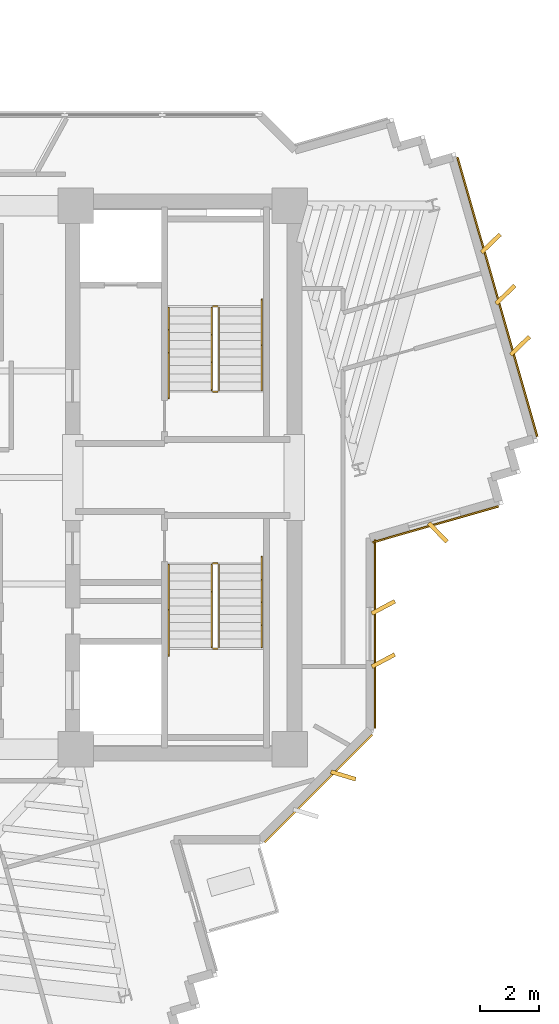
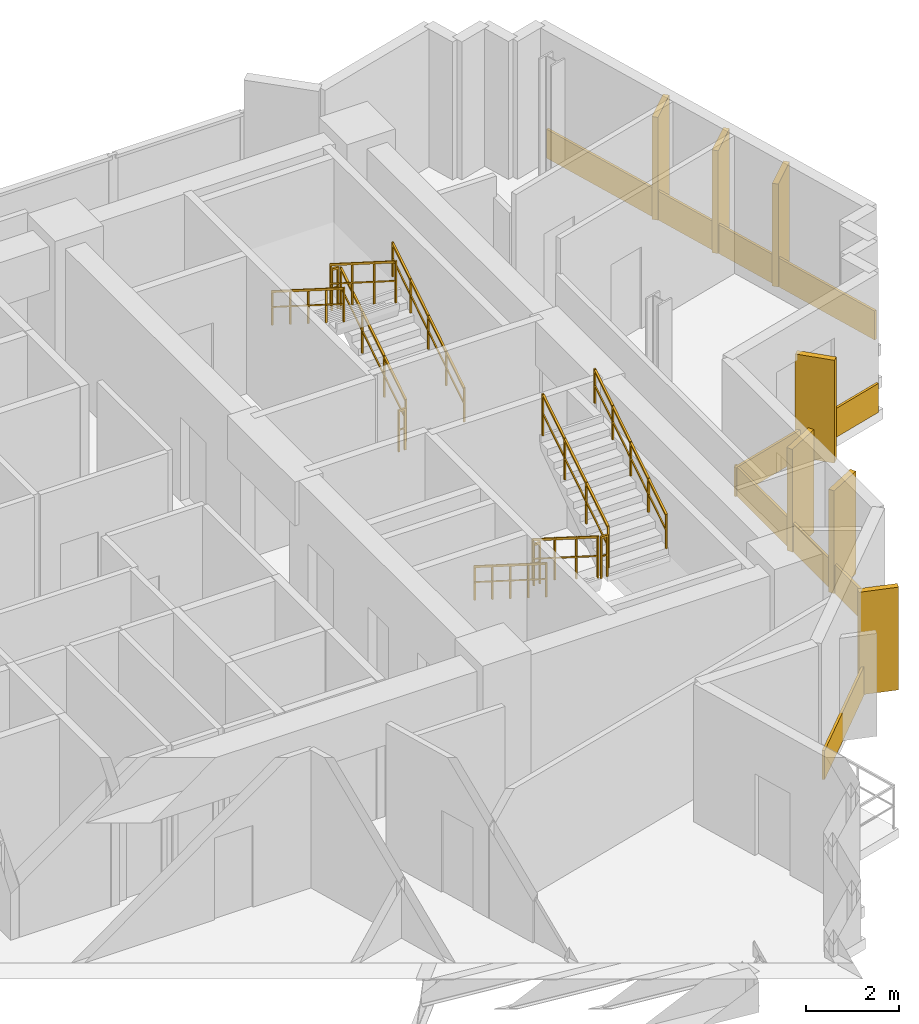
# One storey, part 13 of 14: 12 railings, 11 coverings.
"""IFC4 building model written with IfcOpenShell, lengths in metres."""

from ifc_helpers import new_model, si_unit, direction, frame, origin, origin_2d, place, context, subcontext, project, spatial, rectangle, extrude, source, transform, mapped, material, layer, layer_set, type_object, element, save


model = new_model("IFC4")

# Units and contexts
model_context = context("Model", 3, precision=1e-05, world=origin(), true_north=direction((0.0, 1.0)))
body_context = subcontext(model_context, "Body", "Model", "MODEL_VIEW")
ifc_project = project(units=[si_unit("LENGTHUNIT", "METRE"), si_unit("AREAUNIT", "SQUARE_METRE"), si_unit("VOLUMEUNIT", "CUBIC_METRE"), si_unit("PLANEANGLEUNIT", "RADIAN"), si_unit("MASSUNIT", "GRAM", prefix="KILO")], contexts=[model_context])

# Site, building, storey
site_placement = place(None, origin())
site = spatial("IfcSite", under=ifc_project, at=site_placement, CompositionType="ELEMENT")
building_placement = place(site_placement, origin())
building = spatial("IfcBuilding", under=site, at=building_placement, Name="Zahravan Cultural Tower", CompositionType="ELEMENT")
storey_placement = place(building_placement, frame((0.0, 0.0, 205.800048828125)))
storey = spatial("IfcBuildingStorey", under=building, at=storey_placement, Name="L48", CompositionType="ELEMENT", Elevation=205.800048828125)

# Railings
ifc_material_1 = material(Name="Steel ASTM A572 Grade 50", Category="steel")
railing_type_1 = type_object("IfcRailingType", Name="RL-STAIR-GRD1150", PredefinedType="BALUSTRADE", material=ifc_material_1)
railing_1_placement = place(storey_placement, frame((47.949951171875, 29.949951171875, 0.17724609375)))
element("IfcRailing", 1, at=railing_1_placement, inside=storey, type_object=railing_type_1, Name="L48 ST-E1 stair guard 1", PredefinedType="BALUSTRADE", context=body_context, shape_type="SweptSolid", body=[
    extrude(rectangle(XDim=0.05, YDim=0.05, at=origin_2d()), frame((0.0, 0.0, 1.0751953125), z_axis=(0.0, 0.844908973607, 0.534910110503), x_axis=(-1.0, 0.0, 0.0)), (0.0, 0.0, 1.0), 3.31396484375),
    extrude(rectangle(XDim=0.032, YDim=0.032, at=origin_2d()), frame((0.0, 0.0, 0.572021484375), z_axis=(0.0, 0.844908973607, 0.534910110503), x_axis=(-1.0, 0.0, 0.0)), (0.0, 0.0, 1.0), 3.31396484375),
    extrude(rectangle(XDim=0.04, YDim=0.04, at=origin_2d()), origin(), (0.0, 0.0, 1.0), 1.10009765625),
    extrude(rectangle(XDim=0.04, YDim=0.04, at=origin_2d()), frame((0.0, 0.933349609375, 0.5908203125)), (0.0, 0.0, 1.0), 1.10009765625),
    extrude(rectangle(XDim=0.04, YDim=0.04, at=origin_2d()), frame((0.0, 1.86669921875, 1.181884765625)), (0.0, 0.0, 1.0), 1.10009765625),
    extrude(rectangle(XDim=0.04, YDim=0.04, at=origin_2d()), frame((0.0, 2.800048828125, 1.772705078125)), (0.0, 0.0, 1.0), 1.10009765625),
])
railing_2_placement = place(storey_placement, frame((47.89990234375, 32.800048828125, 1.949951171875)))
element("IfcRailing", 2, at=railing_2_placement, inside=storey, type_object=railing_type_1, Name="L48 ST-E1 stair guard 2", PredefinedType="BALUSTRADE", context=body_context, shape_type="SweptSolid", body=[
    extrude(rectangle(XDim=0.05, YDim=0.05, at=origin_2d()), frame((0.0, 0.0, 1.0751953125), z_axis=(-1.0, 0.0, 0.0), x_axis=(0.0, -1.0, 0.0)), (0.0, 0.0, 1.0), 0.14990234375),
    extrude(rectangle(XDim=0.032, YDim=0.032, at=origin_2d()), frame((0.0, 0.0, 0.572021484375), z_axis=(-1.0, 0.0, 0.0), x_axis=(0.0, -1.0, 0.0)), (0.0, 0.0, 1.0), 0.14990234375),
    extrude(rectangle(XDim=0.04, YDim=0.04, at=origin_2d()), origin(), (0.0, 0.0, 1.0), 1.10009765625),
    extrude(rectangle(XDim=0.04, YDim=0.04, at=origin_2d()), frame((-0.14990234375, 0.0, 0.0)), (0.0, 0.0, 1.0), 1.10009765625),
])
railing_3_placement = place(storey_placement, frame((47.699951171875, 32.75, 2.127197265625)))
element("IfcRailing", 3, at=railing_3_placement, inside=storey, type_object=railing_type_1, Name="L48 ST-E1 stair guard 3", PredefinedType="BALUSTRADE", context=body_context, shape_type="SweptSolid", body=[
    extrude(rectangle(XDim=0.05, YDim=0.05, at=origin_2d()), frame((0.0, 0.0, 1.0751953125), z_axis=(0.0, -0.844908973607, 0.534910110503), x_axis=(1.0, 0.0, 0.0)), (0.0, 0.0, 1.0), 3.31396484375),
    extrude(rectangle(XDim=0.032, YDim=0.032, at=origin_2d()), frame((0.0, 0.0, 0.572021484375), z_axis=(0.0, -0.844908973607, 0.534910110503), x_axis=(1.0, 0.0, 0.0)), (0.0, 0.0, 1.0), 3.31396484375),
    extrude(rectangle(XDim=0.04, YDim=0.04, at=origin_2d()), origin(), (0.0, 0.0, 1.0), 1.10009765625),
    extrude(rectangle(XDim=0.04, YDim=0.04, at=origin_2d()), frame((0.0, -0.933349609375, 0.5908203125)), (0.0, 0.0, 1.0), 1.10009765625),
    extrude(rectangle(XDim=0.04, YDim=0.04, at=origin_2d()), frame((0.0, -1.86669921875, 1.181884765625)), (0.0, 0.0, 1.0), 1.10009765625),
    extrude(rectangle(XDim=0.04, YDim=0.04, at=origin_2d()), frame((0.0, -2.800048828125, 1.772705078125)), (0.0, 0.0, 1.0), 1.10009765625),
])
railing_4_placement = place(storey_placement, frame((47.89990234375, 29.89990234375, 0.0)))
element("IfcRailing", 4, at=railing_4_placement, inside=storey, type_object=railing_type_1, Name="L48 ST-E1 stair guard 4", PredefinedType="BALUSTRADE", context=body_context, shape_type="SweptSolid", body=[
    extrude(rectangle(XDim=0.05, YDim=0.05, at=origin_2d()), frame((0.0, 0.0, 1.0751953125), z_axis=(-1.0, 0.0, 0.0), x_axis=(0.0, -1.0, 0.0)), (0.0, 0.0, 1.0), 0.14990234375),
    extrude(rectangle(XDim=0.032, YDim=0.032, at=origin_2d()), frame((0.0, 0.0, 0.572021484375), z_axis=(-1.0, 0.0, 0.0), x_axis=(0.0, -1.0, 0.0)), (0.0, 0.0, 1.0), 0.14990234375),
    extrude(rectangle(XDim=0.04, YDim=0.04, at=origin_2d()), origin(), (0.0, 0.0, 1.0), 1.10009765625),
    extrude(rectangle(XDim=0.04, YDim=0.04, at=origin_2d()), frame((-0.14990234375, 0.0, 0.0)), (0.0, 0.0, 1.0), 1.10009765625),
])
railing_5_placement = place(storey_placement, frame((47.699951171875, 24.050048828125, 0.17724609375)))
element("IfcRailing", 5, at=railing_5_placement, inside=storey, type_object=railing_type_1, Name="L48 ST-E2 stair guard 1", PredefinedType="BALUSTRADE", context=body_context, shape_type="SweptSolid", body=[
    extrude(rectangle(XDim=0.05, YDim=0.05, at=origin_2d()), frame((0.0, 0.0, 1.0751953125), z_axis=(0.0, -0.844908973607, 0.534910110503), x_axis=(1.0, 0.0, 0.0)), (0.0, 0.0, 1.0), 3.31396484375),
    extrude(rectangle(XDim=0.032, YDim=0.032, at=origin_2d()), frame((0.0, 0.0, 0.572021484375), z_axis=(0.0, -0.844908973607, 0.534910110503), x_axis=(1.0, 0.0, 0.0)), (0.0, 0.0, 1.0), 3.31396484375),
    extrude(rectangle(XDim=0.04, YDim=0.04, at=origin_2d()), origin(), (0.0, 0.0, 1.0), 1.10009765625),
    extrude(rectangle(XDim=0.04, YDim=0.04, at=origin_2d()), frame((0.0, -0.933349609375, 0.5908203125)), (0.0, 0.0, 1.0), 1.10009765625),
    extrude(rectangle(XDim=0.04, YDim=0.04, at=origin_2d()), frame((0.0, -1.86669921875, 1.181884765625)), (0.0, 0.0, 1.0), 1.10009765625),
    extrude(rectangle(XDim=0.04, YDim=0.04, at=origin_2d()), frame((0.0, -2.800048828125, 1.772705078125)), (0.0, 0.0, 1.0), 1.10009765625),
])
railing_6_placement = place(storey_placement, frame((47.75, 21.199951171875, 1.949951171875)))
element("IfcRailing", 6, at=railing_6_placement, inside=storey, type_object=railing_type_1, Name="L48 ST-E2 stair guard 2", PredefinedType="BALUSTRADE", context=body_context, shape_type="SweptSolid", body=[
    extrude(rectangle(XDim=0.05, YDim=0.05, at=origin_2d()), frame((0.0, 0.0, 1.0751953125), z_axis=(1.0, 0.0, 0.0), x_axis=(0.0, 1.0, 0.0)), (0.0, 0.0, 1.0), 0.14990234375),
    extrude(rectangle(XDim=0.032, YDim=0.032, at=origin_2d()), frame((0.0, 0.0, 0.572021484375), z_axis=(1.0, 0.0, 0.0), x_axis=(0.0, 1.0, 0.0)), (0.0, 0.0, 1.0), 0.14990234375),
    extrude(rectangle(XDim=0.04, YDim=0.04, at=origin_2d()), origin(), (0.0, 0.0, 1.0), 1.10009765625),
    extrude(rectangle(XDim=0.04, YDim=0.04, at=origin_2d()), frame((0.14990234375, 0.0, 0.0)), (0.0, 0.0, 1.0), 1.10009765625),
])
railing_7_placement = place(storey_placement, frame((47.949951171875, 21.25, 2.127197265625)))
element("IfcRailing", 7, at=railing_7_placement, inside=storey, type_object=railing_type_1, Name="L48 ST-E2 stair guard 3", PredefinedType="BALUSTRADE", context=body_context, shape_type="SweptSolid", body=[
    extrude(rectangle(XDim=0.05, YDim=0.05, at=origin_2d()), frame((0.0, 0.0, 1.0751953125), z_axis=(0.0, 0.844908973607, 0.534910110503), x_axis=(-1.0, 0.0, 0.0)), (0.0, 0.0, 1.0), 3.31396484375),
    extrude(rectangle(XDim=0.032, YDim=0.032, at=origin_2d()), frame((0.0, 0.0, 0.572021484375), z_axis=(0.0, 0.844908973607, 0.534910110503), x_axis=(-1.0, 0.0, 0.0)), (0.0, 0.0, 1.0), 3.31396484375),
    extrude(rectangle(XDim=0.04, YDim=0.04, at=origin_2d()), origin(), (0.0, 0.0, 1.0), 1.10009765625),
    extrude(rectangle(XDim=0.04, YDim=0.04, at=origin_2d()), frame((0.0, 0.933349609375, 0.5908203125)), (0.0, 0.0, 1.0), 1.10009765625),
    extrude(rectangle(XDim=0.04, YDim=0.04, at=origin_2d()), frame((0.0, 1.86669921875, 1.181884765625)), (0.0, 0.0, 1.0), 1.10009765625),
    extrude(rectangle(XDim=0.04, YDim=0.04, at=origin_2d()), frame((0.0, 2.800048828125, 1.772705078125)), (0.0, 0.0, 1.0), 1.10009765625),
])
railing_8_placement = place(storey_placement, frame((47.75, 24.10009765625, 0.0)))
element("IfcRailing", 8, at=railing_8_placement, inside=storey, type_object=railing_type_1, Name="L48 ST-E2 stair guard 4", PredefinedType="BALUSTRADE", context=body_context, shape_type="SweptSolid", body=[
    extrude(rectangle(XDim=0.05, YDim=0.05, at=origin_2d()), frame((0.0, 0.0, 1.0751953125), z_axis=(1.0, 0.0, 0.0), x_axis=(0.0, 1.0, 0.0)), (0.0, 0.0, 1.0), 0.14990234375),
    extrude(rectangle(XDim=0.032, YDim=0.032, at=origin_2d()), frame((0.0, 0.0, 0.572021484375), z_axis=(1.0, 0.0, 0.0), x_axis=(0.0, 1.0, 0.0)), (0.0, 0.0, 1.0), 0.14990234375),
    extrude(rectangle(XDim=0.04, YDim=0.04, at=origin_2d()), origin(), (0.0, 0.0, 1.0), 1.10009765625),
    extrude(rectangle(XDim=0.04, YDim=0.04, at=origin_2d()), frame((0.14990234375, 0.0, 0.0)), (0.0, 0.0, 1.0), 1.10009765625),
])
railing_type_2 = type_object("IfcRailingType", Name="RL-STAIR-HR900", PredefinedType="HANDRAIL", material=ifc_material_1)
railing_9_placement = place(storey_placement, frame((49.39990234375, 29.949951171875, 0.17724609375)))
element("IfcRailing", 9, at=railing_9_placement, inside=storey, type_object=railing_type_2, Name="L48 ST-E1 stair handrail 1", PredefinedType="HANDRAIL", context=body_context, shape_type="SweptSolid", body=[
    extrude(rectangle(XDim=0.05, YDim=0.05, at=origin_2d()), frame((0.0, 0.0, 0.875), z_axis=(0.0, 0.844913916606, 0.534902302785), x_axis=(-1.0, 0.0, 0.0)), (0.0, 0.0, 1.0), 3.6455078125),
    extrude(rectangle(XDim=0.032, YDim=0.032, at=origin_2d()), frame((0.0, 0.0, 0.468017578125), z_axis=(0.0, 0.844913916606, 0.534902302785), x_axis=(-1.0, 0.0, 0.0)), (0.0, 0.0, 1.0), 3.6455078125),
    extrude(rectangle(XDim=0.04, YDim=0.04, at=origin_2d()), origin(), (0.0, 0.0, 1.0), 0.89990234375),
    extrude(rectangle(XDim=0.04, YDim=0.04, at=origin_2d()), frame((0.0, 0.77001953125, 0.487548828125)), (0.0, 0.0, 1.0), 0.89990234375),
    extrude(rectangle(XDim=0.04, YDim=0.04, at=origin_2d()), frame((0.0, 1.5400390625, 0.97509765625)), (0.0, 0.0, 1.0), 0.89990234375),
    extrude(rectangle(XDim=0.04, YDim=0.04, at=origin_2d()), frame((0.0, 2.31005859375, 1.46240234375)), (0.0, 0.0, 1.0), 0.89990234375),
    extrude(rectangle(XDim=0.04, YDim=0.04, at=origin_2d()), frame((0.0, 3.080078125, 1.949951171875)), (0.0, 0.0, 1.0), 0.89990234375),
])
for number, where, name in (
    (10, (46.25, 32.75, 2.127197265625), "L48 ST-E1 stair handrail 2"),
    (11, (46.25, 24.050048828125, 0.17724609375), "L48 ST-E2 stair handrail 1"),
):
    element("IfcRailing", number, at=place(storey_placement, frame(where)), inside=storey, type_object=railing_type_2, Name=name, PredefinedType="HANDRAIL", context=body_context, shape_type="SweptSolid", body=[
        extrude(rectangle(XDim=0.05, YDim=0.05, at=origin_2d()), frame((0.0, 0.0, 0.875), z_axis=(0.0, -0.844913916606, 0.534902302785), x_axis=(1.0, 0.0, 0.0)), (0.0, 0.0, 1.0), 3.6455078125),
        extrude(rectangle(XDim=0.032, YDim=0.032, at=origin_2d()), frame((0.0, 0.0, 0.468017578125), z_axis=(0.0, -0.844913916606, 0.534902302785), x_axis=(1.0, 0.0, 0.0)), (0.0, 0.0, 1.0), 3.6455078125),
        extrude(rectangle(XDim=0.04, YDim=0.04, at=origin_2d()), origin(), (0.0, 0.0, 1.0), 0.89990234375),
        extrude(rectangle(XDim=0.04, YDim=0.04, at=origin_2d()), frame((0.0, -0.77001953125, 0.487548828125)), (0.0, 0.0, 1.0), 0.89990234375),
        extrude(rectangle(XDim=0.04, YDim=0.04, at=origin_2d()), frame((0.0, -1.5400390625, 0.97509765625)), (0.0, 0.0, 1.0), 0.89990234375),
        extrude(rectangle(XDim=0.04, YDim=0.04, at=origin_2d()), frame((0.0, -2.31005859375, 1.46240234375)), (0.0, 0.0, 1.0), 0.89990234375),
        extrude(rectangle(XDim=0.04, YDim=0.04, at=origin_2d()), frame((0.0, -3.080078125, 1.949951171875)), (0.0, 0.0, 1.0), 0.89990234375),
    ])
railing_10_placement = place(storey_placement, frame((49.39990234375, 21.25, 2.127197265625)))
element("IfcRailing", 12, at=railing_10_placement, inside=storey, type_object=railing_type_2, Name="L48 ST-E2 stair handrail 2", PredefinedType="HANDRAIL", context=body_context, shape_type="SweptSolid", body=[
    extrude(rectangle(XDim=0.05, YDim=0.05, at=origin_2d()), frame((0.0, 0.0, 0.875), z_axis=(0.0, 0.844913916606, 0.534902302785), x_axis=(-1.0, 0.0, 0.0)), (0.0, 0.0, 1.0), 3.6455078125),
    extrude(rectangle(XDim=0.032, YDim=0.032, at=origin_2d()), frame((0.0, 0.0, 0.468017578125), z_axis=(0.0, 0.844913916606, 0.534902302785), x_axis=(-1.0, 0.0, 0.0)), (0.0, 0.0, 1.0), 3.6455078125),
    extrude(rectangle(XDim=0.04, YDim=0.04, at=origin_2d()), origin(), (0.0, 0.0, 1.0), 0.89990234375),
    extrude(rectangle(XDim=0.04, YDim=0.04, at=origin_2d()), frame((0.0, 0.77001953125, 0.487548828125)), (0.0, 0.0, 1.0), 0.89990234375),
    extrude(rectangle(XDim=0.04, YDim=0.04, at=origin_2d()), frame((0.0, 1.5400390625, 0.97509765625)), (0.0, 0.0, 1.0), 0.89990234375),
    extrude(rectangle(XDim=0.04, YDim=0.04, at=origin_2d()), frame((0.0, 2.31005859375, 1.46240234375)), (0.0, 0.0, 1.0), 0.89990234375),
    extrude(rectangle(XDim=0.04, YDim=0.04, at=origin_2d()), frame((0.0, 3.080078125, 1.949951171875)), (0.0, 0.0, 1.0), 0.89990234375),
])

# Coverings
ifc_material_2 = material(Name="Terracotta ceramic cladding", Category="masonry")
ifc_layer = layer(ifc_material_2, 0.06005859375)
ifc_layer_set = layer_set([ifc_layer], Name="Terracotta ceramic cladding")
covering_type = type_object("IfcCoveringType", Name="COV-CLAD-TC60", PredefinedType="CLADDING", material=ifc_layer_set)
shared_shape_1 = source(origin(), body_context, "Body", "SweptSolid", [
    extrude(rectangle(XDim=9.820068359375, YDim=0.06005859375, at=origin_2d()), origin(), (0.0, 0.0, 1.0), 0.760009765625),
])
covering_1_placement = place(storey_placement, frame((57.368408203125, 33.111083984375, 0.02001953125), z_axis=(0.0, 0.0, 1.0), x_axis=(0.274966201438, -0.961453892845, 0.0)))
element("IfcCovering", 13, at=covering_1_placement, inside=storey, type_object=covering_type, Name="L48 Terracotta Spandrel Cladding 06", PredefinedType="CLADDING", context=body_context, shape_type="MappedRepresentation", body=[
    mapped(shared_shape_1, transform((0.0, 0.0, 0.0), x_axis=(1.0, 0.0, 0.0), y_axis=(0.0, 1.0, 0.0), z_axis=(0.0, 0.0, 1.0), scale=1.0)),
])
shared_shape_2 = source(origin(), body_context, "Body", "SweptSolid", [
    extrude(rectangle(XDim=5.157958984375, YDim=0.06005859375, at=origin_2d()), origin(), (0.0, 0.0, 1.0), 0.760009765625),
])
covering_2_placement = place(storey_placement, frame((51.317626953125, 16.482421875, 0.02001953125), z_axis=(0.0, 0.0, 1.0), x_axis=(-0.707106781187, -0.707106781187, 0.0)))
element("IfcCovering", 14, at=covering_2_placement, inside=storey, type_object=covering_type, Name="L48 Terracotta Spandrel Cladding 13", PredefinedType="CLADDING", context=body_context, shape_type="MappedRepresentation", body=[
    mapped(shared_shape_2, transform((0.0, 0.0, 0.0), x_axis=(1.0, 0.0, 0.0), y_axis=(0.0, 1.0, 0.0), z_axis=(0.0, 0.0, 1.0), scale=1.0)),
])
shared_shape_3 = source(origin(), body_context, "Body", "SweptSolid", [
    extrude(rectangle(XDim=0.8798828125, YDim=0.139892578125, at=origin_2d()), origin(), (0.0, 0.0, 1.0), 2.699951171875),
])
for number, where, z_axis, x_axis, name in (
    (15, (57.1474609375, 34.920166015625, 0.0498046875), (0.0, 0.0, 1.0), (0.71982458803, 0.694156007298, 0.0), "L48 Herringbone Terracotta Fin 01"),
    (16, (57.642333984375, 33.189453125, 0.0498046875), (0.0, 0.0, 1.0), (0.71982458803, 0.694156007298, 0.0), "L48 Herringbone Terracotta Fin 02"),
    (17, (58.13720703125, 31.458984375, 0.0498046875), (0.0, 0.0, 1.0), (0.71982458803, 0.694156007298, 0.0), "L48 Herringbone Terracotta Fin 03"),
    (18, (55.35693359375, 25.140869140625, 0.0498046875), (0.0, 0.0, 1.0), (0.694143443883, -0.719836703228, 0.0), "L48 Herringbone Terracotta Fin 04"),
    (19, (53.510009765625, 22.60498046875, 0.0498046875), (0.0, 0.0, 1.0), (0.882947592859, 0.469471562786, 0.0), "L48 Herringbone Terracotta Fin 05"),
    (20, (53.510009765625, 20.804931640625, 0.0498046875), (0.0, 0.0, 1.0), (0.882947592859, 0.469471562786, 0.0), "L48 Herringbone Terracotta Fin 06"),
    (21, (52.155517578125, 16.917236328125, 0.0498046875), (0.0, 0.0, 1.0), (0.956304755963, -0.292371704723, 0.0), "L48 Herringbone Terracotta Fin 07"),
):
    element("IfcCovering", number, at=place(storey_placement, frame(where, z_axis=z_axis, x_axis=x_axis)), inside=storey, type_object=covering_type, Name=name, PredefinedType="CLADDING", context=body_context, shape_type="MappedRepresentation", body=[
        mapped(shared_shape_3, transform((0.0, 0.0, 0.0), x_axis=(1.0, 0.0, 0.0), y_axis=(0.0, 1.0, 0.0), z_axis=(0.0, 0.0, 1.0), scale=1.0)),
    ])
shared_shape_4 = source(origin(), body_context, "Body", "SweptSolid", [
    extrude(rectangle(XDim=4.420654296875, YDim=0.06005859375, at=origin_2d()), origin(), (0.0, 0.0, 1.0), 0.760009765625),
])
covering_3_placement = place(storey_placement, frame((55.278564453125, 25.414794921875, 0.02001953125), z_axis=(0.0, 0.0, 1.0), x_axis=(-0.961458691764, -0.27494942086, 0.0)))
element("IfcCovering", 22, at=covering_3_placement, inside=storey, type_object=covering_type, Name="L48 Terracotta Spandrel Cladding 11", PredefinedType="CLADDING", context=body_context, shape_type="MappedRepresentation", body=[
    mapped(shared_shape_4, transform((0.0, 0.0, 0.0), x_axis=(1.0, 0.0, 0.0), y_axis=(0.0, 1.0, 0.0), z_axis=(0.0, 0.0, 1.0), scale=1.0)),
])
shared_shape_5 = source(origin(), body_context, "Body", "SweptSolid", [
    extrude(rectangle(XDim=6.39404296875, YDim=0.06005859375, at=origin_2d()), origin(), (0.0, 0.0, 1.0), 0.760009765625),
])
covering_4_placement = place(storey_placement, frame((53.22509765625, 21.705078125, 0.02001953125), z_axis=(0.0, 0.0, 1.0), x_axis=(0.0, -1.0, 0.0)))
element("IfcCovering", 23, at=covering_4_placement, inside=storey, type_object=covering_type, Name="L48 Terracotta Spandrel Cladding 12", PredefinedType="CLADDING", context=body_context, shape_type="MappedRepresentation", body=[
    mapped(shared_shape_5, transform((0.0, 0.0, 0.0), x_axis=(1.0, 0.0, 0.0), y_axis=(0.0, 1.0, 0.0), z_axis=(0.0, 0.0, 1.0), scale=1.0)),
])

save(model, "model.ifc")
